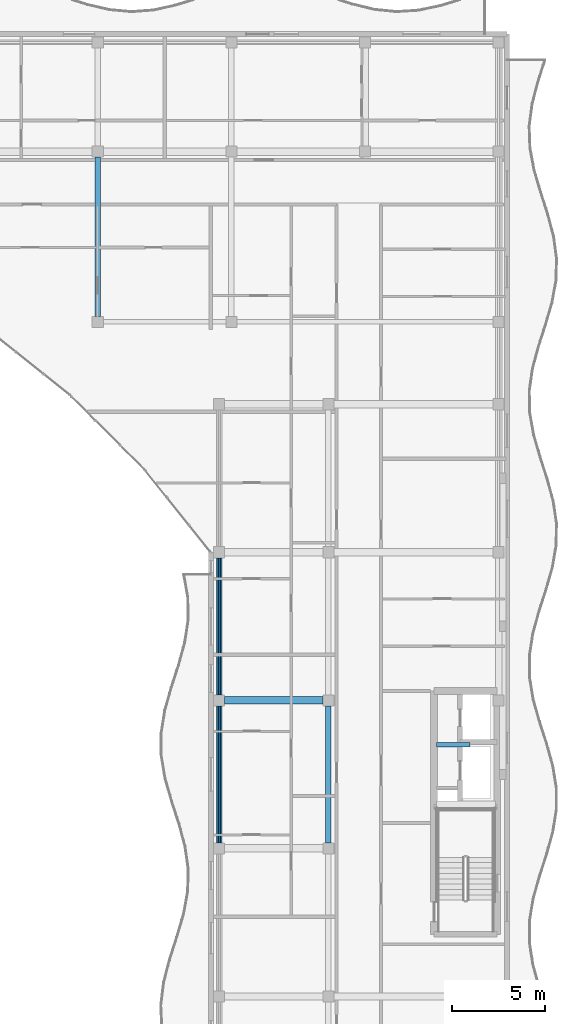
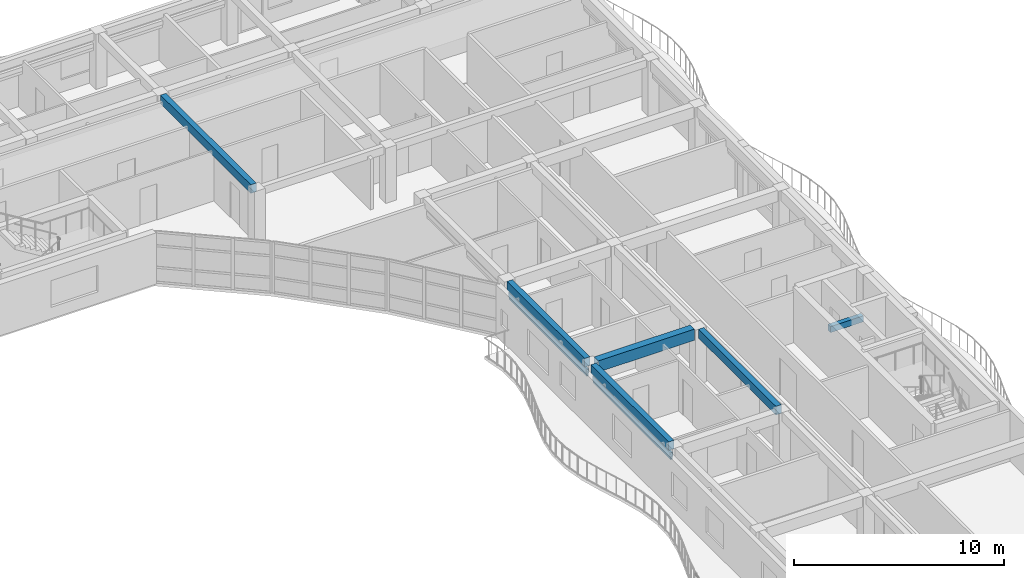
# One storey, part 25 of 79: 6 beams, 4 members.
"""IFC4 building model written with IfcOpenShell, lengths in metres."""

from ifc_helpers import new_model, si_unit, direction, frame, origin, origin_2d, place, context, subcontext, project, spatial, rectangle, hollow_rectangle, extrude, material, material_profile, profile_set, type_object, element, save


model = new_model("IFC4")

# Units and contexts
model_context = context("Model", 3, precision=1e-05, world=origin(), true_north=direction((0.0, 1.0)))
body_context = subcontext(model_context, "Body", "Model", "MODEL_VIEW")
ifc_project = project(units=[si_unit("LENGTHUNIT", "METRE"), si_unit("AREAUNIT", "SQUARE_METRE"), si_unit("VOLUMEUNIT", "CUBIC_METRE"), si_unit("PLANEANGLEUNIT", "RADIAN"), si_unit("MASSUNIT", "GRAM", prefix="KILO")], contexts=[model_context])

# Site, building, storey
site_placement = place(None, origin())
site = spatial("IfcSite", under=ifc_project, at=site_placement, CompositionType="ELEMENT")
building_placement = place(site_placement, origin())
building = spatial("IfcBuilding", under=site, at=building_placement, Name="Keldmere Railside Commons", CompositionType="ELEMENT")
storey_placement = place(building_placement, frame((0.0, 0.0, 10.56005859375)))
storey = spatial("IfcBuildingStorey", under=building, at=storey_placement, Name="L03", CompositionType="ELEMENT", Elevation=10.56005859375)

# Members
ifc_material_1 = material(Name="Steel F-36 (S355)", Category="steel")
ifc_material_profile_1 = material_profile(ifc_material_1, hollow_rectangle(XDim=0.14990234375, YDim=0.25, WallThickness=0.010009765625, at=origin_2d()), Name="RHS-250x150x10")
ifc_profile_set_1 = profile_set([ifc_material_profile_1], Name="Steel F-36 (S355)")
member_type_1 = type_object("IfcMemberType", Name="Balcony Continuous Planted Trough RHS250x150", PredefinedType="CHORD", material=ifc_profile_set_1)
for number, where, z_axis, x_axis, name in (
    (1, (168.449951171875, 72.300048828125, 2.4150390625), (0.0, 1.0, 0.0), (-1.0, 0.0, 0.0), "PLT-1 MEM-BPLT-0431"),
    (2, (168.449951171875, 80.300048828125, 2.4150390625), (0.0, 1.0, 0.0), (-1.0, 0.0, 0.0), "PLT-1 MEM-BPLT-0433"),
):
    element("IfcMember", number, at=place(storey_placement, frame(where, z_axis=z_axis, x_axis=x_axis)), inside=storey, type_object=member_type_1, Name=name, PredefinedType="CHORD", context=body_context, shape_type="SweptSolid", body=[
        extrude(hollow_rectangle(XDim=0.14990234375, YDim=0.25, WallThickness=0.010009765625, at=origin_2d()), origin(), (0.0, 0.0, 1.0), 7.39990234375),
    ])

# Beams
ifc_material_2 = material(Name="Concrete H-30 (C30/37)", Category="concrete")
ifc_material_profile_2 = material_profile(ifc_material_2, rectangle(XDim=0.25, YDim=0.35009765625, at=origin_2d()), Name="RC-250x350")
ifc_profile_set_2 = profile_set([ifc_material_profile_2], Name="Concrete H-30 (C30/37)")
beam_type_1 = type_object("IfcBeamType", Name="Masonry Opening RC Lintel 250x350", PredefinedType="LINTEL", material=ifc_profile_set_2)
beam_1_placement = place(storey_placement, frame((180.18994140625, 77.60009765625, 2.425048828125), z_axis=(1.0, 0.0, 0.0), x_axis=(0.0, 1.0, 0.0)))
element("IfcBeam", 3, at=beam_1_placement, inside=storey, type_object=beam_type_1, Name="LNT-1 BM-L03-2570", PredefinedType="LINTEL", context=body_context, shape_type="SweptSolid", body=[
    extrude(rectangle(XDim=0.25, YDim=0.35009765625, at=origin_2d()), origin(), (0.0, 0.0, 1.0), 1.81005859375),
])
ifc_material_profile_3 = material_profile(ifc_material_2, rectangle(XDim=0.39990234375, YDim=0.64990234375, at=origin_2d()), Name="RC-400x650")
ifc_profile_set_3 = profile_set([ifc_material_profile_3], Name="Concrete H-30 (C30/37)")
beam_type_2 = type_object("IfcBeamType", Name="Residential Spine RC Girder 400x650", PredefinedType="BEAM", material=ifc_profile_set_3)
beam_2_placement = place(storey_placement, frame((168.75, 80.0, 2.875), z_axis=(1.0, 0.0, 0.0), x_axis=(0.0, 1.0, 0.0)))
element("IfcBeam", 4, at=beam_2_placement, inside=storey, type_object=beam_type_2, Name="BG-3 BM-L03-1352", PredefinedType="BEAM", context=body_context, shape_type="SweptSolid", body=[
    extrude(rectangle(XDim=0.39990234375, YDim=0.64990234375, at=origin_2d()), origin(), (0.0, 0.0, 1.0), 5.300048828125),
])
ifc_material_profile_4 = material_profile(ifc_material_2, rectangle(XDim=0.300048828125, YDim=0.5, at=origin_2d()), Name="RC-300x500")
ifc_profile_set_4 = profile_set([ifc_material_profile_4], Name="Concrete H-30 (C30/37)")
beam_type_3 = type_object("IfcBeamType", Name="Secondary Frame RC Beam 300x500", PredefinedType="BEAM", material=ifc_profile_set_4)
beam_3_placement = place(storey_placement, frame((161.889892578125, 100.75, 2.949951171875), z_axis=(0.0, 1.0, 0.0), x_axis=(-1.0, 0.0, 0.0)))
element("IfcBeam", 5, at=beam_3_placement, inside=storey, type_object=beam_type_3, Name="BG-5 BM-L03-1491", PredefinedType="BEAM", context=body_context, shape_type="SweptSolid", body=[
    extrude(rectangle(XDim=0.300048828125, YDim=0.5, at=origin_2d()), origin(), (0.0, 0.0, 1.0), 8.60009765625),
])
for number, where, z_axis, x_axis, name in (
    (6, (168.449951171875, 72.300048828125, 2.949951171875), (0.0, 1.0, 0.0), (-1.0, 0.0, 0.0), "BG-5 BM-L03-1495"),
    (7, (168.449951171875, 80.300048828125, 2.949951171875), (0.0, 1.0, 0.0), (-1.0, 0.0, 0.0), "BG-5 BM-L03-1496"),
    (8, (174.35009765625, 72.300048828125, 2.949951171875), (0.0, 1.0, 0.0), (-1.0, 0.0, 0.0), "BG-5 BM-L03-1502"),
):
    element("IfcBeam", number, at=place(storey_placement, frame(where, z_axis=z_axis, x_axis=x_axis)), inside=storey, type_object=beam_type_3, Name=name, PredefinedType="BEAM", context=body_context, shape_type="SweptSolid", body=[
        extrude(rectangle(XDim=0.300048828125, YDim=0.5, at=origin_2d()), origin(), (0.0, 0.0, 1.0), 7.39990234375),
    ])

# Members
ifc_material_profile_5 = material_profile(ifc_material_1, hollow_rectangle(XDim=0.10009765625, YDim=0.159912109375, WallThickness=0.008056640625, at=origin_2d()), Name="RHS-160x100x8")
ifc_profile_set_5 = profile_set([ifc_material_profile_5], Name="Steel F-36 (S355)")
member_type_2 = type_object("IfcMemberType", Name="Solar Brise-Soleil Louvre Fin RHS160x100", PredefinedType="STRUT", material=ifc_profile_set_5)
for number, where, z_axis, x_axis, name in (
    (9, (168.449951171875, 72.300048828125, 2.199951171875), (0.0, 1.0, 0.0), (-1.0, 0.0, 0.0), "BSF-1 MEM-BSF-0432"),
    (10, (168.449951171875, 80.300048828125, 2.199951171875), (0.0, 1.0, 0.0), (-1.0, 0.0, 0.0), "BSF-1 MEM-BSF-0434"),
):
    element("IfcMember", number, at=place(storey_placement, frame(where, z_axis=z_axis, x_axis=x_axis)), inside=storey, type_object=member_type_2, Name=name, PredefinedType="STRUT", context=body_context, shape_type="SweptSolid", body=[
        extrude(hollow_rectangle(XDim=0.10009765625, YDim=0.159912109375, WallThickness=0.008056640625, at=origin_2d()), origin(), (0.0, 0.0, 1.0), 7.39990234375),
    ])

save(model, "model.ifc")
